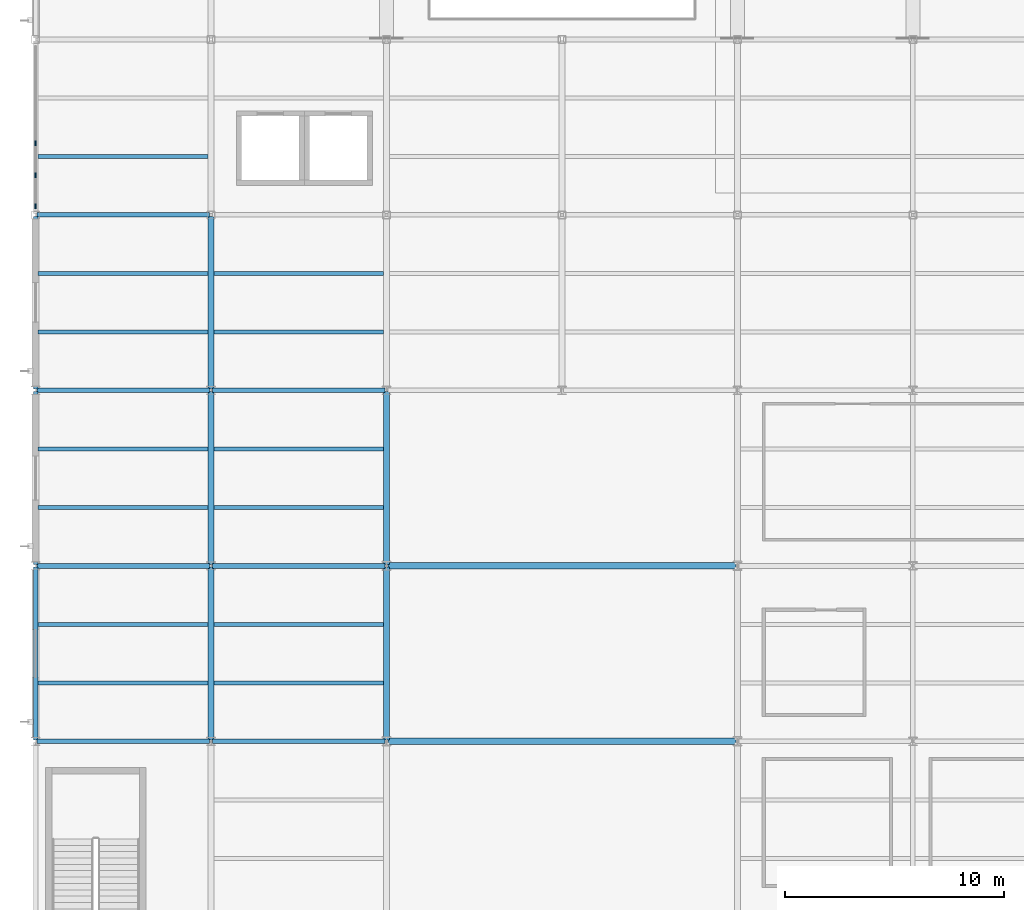
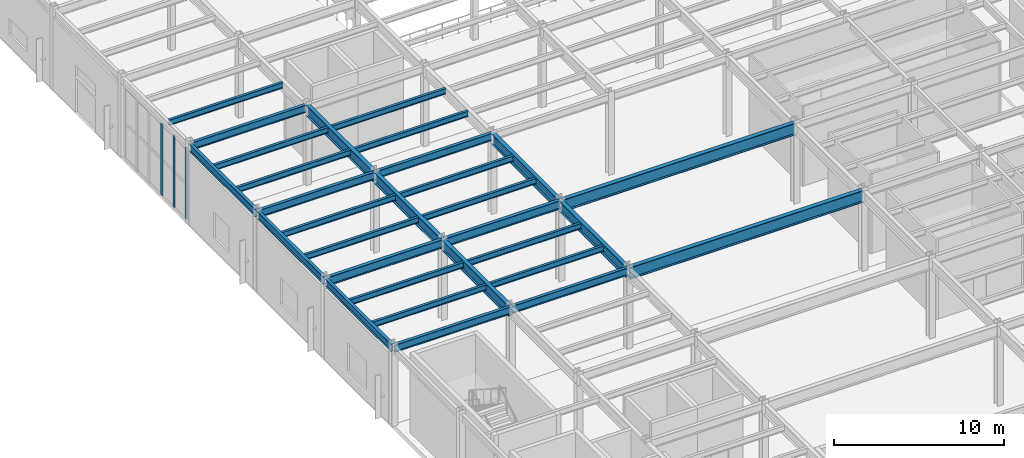
# One storey, part 31 of 82: 30 beams, 3 members, 1 element without a shape of its own.
"""IFC4 building model written with IfcOpenShell, lengths in metres."""

from ifc_helpers import new_model, si_unit, direction, frame, origin, origin_2d, place, context, subcontext, project, spatial, rectangle, i_section, extrude, material, material_profile, profile_set, type_object, element, aggregate, save


model = new_model("IFC4")

# Units and contexts
model_context = context("Model", 3, precision=1e-05, world=origin(), true_north=direction((0.0, 1.0)))
body_context = subcontext(model_context, "Body", "Model", "MODEL_VIEW")
ifc_project = project(units=[si_unit("LENGTHUNIT", "METRE"), si_unit("AREAUNIT", "SQUARE_METRE"), si_unit("VOLUMEUNIT", "CUBIC_METRE"), si_unit("PLANEANGLEUNIT", "RADIAN"), si_unit("MASSUNIT", "GRAM", prefix="KILO")], contexts=[model_context])

# Site, building, storey
site_placement = place(None, origin())
site = spatial("IfcSite", under=ifc_project, at=site_placement, CompositionType="ELEMENT")
building_placement = place(site_placement, origin())
building = spatial("IfcBuilding", under=site, at=building_placement, Name="Drelvath Fold Interchange", CompositionType="ELEMENT")
storey_placement = place(building_placement, origin())
storey = spatial("IfcBuildingStorey", under=building, at=storey_placement, Name="L00", CompositionType="ELEMENT", Elevation=0.0)

# Beams
ifc_material_1 = material(Name="Steel ASTM A992 Grade 50", Category="steel")
ifc_material_profile_1 = material_profile(ifc_material_1, i_section(OverallWidth=0.177978515625, OverallDepth=0.403076171875, WebThickness=0.007568359375, FlangeThickness=0.010986328125, at=origin_2d()), Name="W16X36")
ifc_profile_set_1 = profile_set([ifc_material_profile_1], Name="Steel ASTM A992 Grade 50")
beam_type_1 = type_object("IfcBeamType", Name="BM-W16X36", PredefinedType="JOIST", material=ifc_profile_set_1)
for number, where, z_axis, x_axis, name in (
    (1, (4.10302734375, 37.6669921875, 5.55810546875), (1.0, 0.0, 0.0), (0.0, 1.0, 0.0), "L00 Secondary floor joist BM-W16X36"),
    (2, (4.10302734375, 40.3330078125, 5.55810546875), (1.0, 0.0, 0.0), (0.0, 1.0, 0.0), "L00 Secondary floor joist BM-W16X36"),
    (3, (4.10302734375, 45.6669921875, 5.55810546875), (1.0, 0.0, 0.0), (0.0, 1.0, 0.0), "L00 Secondary floor joist BM-W16X36"),
    (4, (4.10302734375, 48.3330078125, 5.55810546875), (1.0, 0.0, 0.0), (0.0, 1.0, 0.0), "L00 Secondary floor joist BM-W16X36"),
    (5, (4.10302734375, 53.6669921875, 5.55810546875), (1.0, 0.0, 0.0), (0.0, 1.0, 0.0), "L00 Secondary floor joist BM-W16X36"),
    (6, (4.10302734375, 56.3330078125, 5.55810546875), (1.0, 0.0, 0.0), (0.0, 1.0, 0.0), "L00 Secondary floor joist BM-W16X36"),
    (7, (4.10302734375, 61.6669921875, 5.55810546875), (1.0, 0.0, 0.0), (0.0, 1.0, 0.0), "L00 Secondary floor joist BM-W16X36"),
):
    element("IfcBeam", number, at=place(storey_placement, frame(where, z_axis=z_axis, x_axis=x_axis)), inside=storey, type_object=beam_type_1, Name=name, PredefinedType="JOIST", context=body_context, shape_type="SweptSolid", body=[
        extrude(i_section(OverallWidth=0.177978515625, OverallDepth=0.403076171875, WebThickness=0.007568359375, FlangeThickness=0.010986328125, at=origin_2d()), origin(), (0.0, 0.0, 1.0), 7.765869140625),
    ])
for number, where, z_axis, x_axis, name in (
    (8, (12.131103515625, 37.6669921875, 5.55810546875), (1.0, 0.0, 0.0), (0.0, 1.0, 0.0), "L00 Secondary floor joist BM-W16X36"),
    (9, (12.131103515625, 40.3330078125, 5.55810546875), (1.0, 0.0, 0.0), (0.0, 1.0, 0.0), "L00 Secondary floor joist BM-W16X36"),
    (10, (12.131103515625, 45.6669921875, 5.55810546875), (1.0, 0.0, 0.0), (0.0, 1.0, 0.0), "L00 Secondary floor joist BM-W16X36"),
    (11, (12.131103515625, 48.3330078125, 5.55810546875), (1.0, 0.0, 0.0), (0.0, 1.0, 0.0), "L00 Secondary floor joist BM-W16X36"),
    (12, (12.131103515625, 53.6669921875, 5.55810546875), (1.0, 0.0, 0.0), (0.0, 1.0, 0.0), "L00 Secondary floor joist BM-W16X36"),
    (13, (12.131103515625, 56.3330078125, 5.55810546875), (1.0, 0.0, 0.0), (0.0, 1.0, 0.0), "L00 Secondary floor joist BM-W16X36"),
):
    element("IfcBeam", number, at=place(storey_placement, frame(where, z_axis=z_axis, x_axis=x_axis)), inside=storey, type_object=beam_type_1, Name=name, PredefinedType="JOIST", context=body_context, shape_type="SweptSolid", body=[
        extrude(i_section(OverallWidth=0.177978515625, OverallDepth=0.403076171875, WebThickness=0.007568359375, FlangeThickness=0.010986328125, at=origin_2d()), origin(), (0.0, 0.0, 1.0), 7.73779296875),
    ])
ifc_material_profile_2 = material_profile(ifc_material_1, i_section(OverallWidth=0.2099609375, OverallDepth=0.537109375, WebThickness=0.010986328125, FlangeThickness=0.017333984375, at=origin_2d()), Name="W21X68")
ifc_profile_set_2 = profile_set([ifc_material_profile_2], Name="Steel ASTM A992 Grade 50")
beam_type_2 = type_object("IfcBeamType", Name="BM-W21X68", PredefinedType="SPANDREL", material=ifc_profile_set_2)
for number, where, z_axis, x_axis, name in (
    (14, (4.06005859375, 35.0, 5.490966796875), (1.0, 0.0, 0.0), (0.0, 1.0, 0.0), "L00 Primary X girder BM-W21X68"),
    (15, (12.06005859375, 35.0, 5.490966796875), (1.0, 0.0, 0.0), (0.0, 1.0, 0.0), "L00 Primary X girder BM-W21X68"),
    (16, (4.06005859375, 51.0, 5.490966796875), (1.0, 0.0, 0.0), (0.0, 1.0, 0.0), "L00 Primary X girder BM-W21X68"),
    (17, (12.06005859375, 51.0, 5.490966796875), (1.0, 0.0, 0.0), (0.0, 1.0, 0.0), "L00 Primary X girder BM-W21X68"),
    (18, (4.06005859375, 59.0, 5.490966796875), (1.0, 0.0, 0.0), (0.0, 1.0, 0.0), "L00 Primary X girder BM-W21X68"),
    (19, (4.0, 35.06005859375, 5.490966796875), (0.0, 1.0, 0.0), (-1.0, 0.0, 0.0), "L00 Primary Y girder BM-W21X68"),
    (20, (4.0, 43.06005859375, 5.490966796875), (0.0, 1.0, 0.0), (-1.0, 0.0, 0.0), "L00 Primary Y girder BM-W21X68"),
    (21, (4.0, 51.06005859375, 5.490966796875), (0.0, 1.0, 0.0), (-1.0, 0.0, 0.0), "L00 Primary Y girder BM-W21X68"),
):
    element("IfcBeam", number, at=place(storey_placement, frame(where, z_axis=z_axis, x_axis=x_axis)), inside=storey, type_object=beam_type_2, Name=name, PredefinedType="SPANDREL", context=body_context, shape_type="SweptSolid", body=[
        extrude(i_section(OverallWidth=0.2099609375, OverallDepth=0.537109375, WebThickness=0.010986328125, FlangeThickness=0.017333984375, at=origin_2d()), origin(), (0.0, 0.0, 1.0), 7.8798828125),
    ])
ifc_material_profile_3 = material_profile(ifc_material_1, i_section(OverallWidth=0.22998046875, OverallDepth=0.616943359375, WebThickness=0.01318359375, FlangeThickness=0.022216796875, at=origin_2d()), Name="W24X94")
ifc_profile_set_3 = profile_set([ifc_material_profile_3], Name="Steel ASTM A992 Grade 50")
beam_type_3 = type_object("IfcBeamType", Name="BM-W24X94", PredefinedType="BEAM", material=ifc_profile_set_3)
for number, where, z_axis, x_axis, name in (
    (22, (4.06005859375, 43.0, 5.450927734375), (1.0, 0.0, 0.0), (0.0, 1.0, 0.0), "L00 Primary X girder BM-W24X94"),
    (23, (12.06005859375, 43.0, 5.450927734375), (1.0, 0.0, 0.0), (0.0, 1.0, 0.0), "L00 Primary X girder BM-W24X94"),
):
    element("IfcBeam", number, at=place(storey_placement, frame(where, z_axis=z_axis, x_axis=x_axis)), inside=storey, type_object=beam_type_3, Name=name, PredefinedType="BEAM", context=body_context, shape_type="SweptSolid", body=[
        extrude(i_section(OverallWidth=0.22998046875, OverallDepth=0.616943359375, WebThickness=0.01318359375, FlangeThickness=0.022216796875, at=origin_2d()), origin(), (0.0, 0.0, 1.0), 7.8798828125),
    ])
ifc_material_profile_4 = material_profile(ifc_material_1, i_section(OverallWidth=0.26611328125, OverallDepth=0.779052734375, WebThickness=0.0166015625, FlangeThickness=0.030029296875, at=origin_2d()), Name="W30X148")
ifc_profile_set_4 = profile_set([ifc_material_profile_4], Name="Steel ASTM A992 Grade 50")
beam_type_4 = type_object("IfcBeamType", Name="BM-W30X148", PredefinedType="BEAM", material=ifc_profile_set_4)
for number, where, z_axis, x_axis, name in (
    (24, (12.0, 35.06005859375, 5.3701171875), (0.0, 1.0, 0.0), (-1.0, 0.0, 0.0), "L00 Primary Y girder BM-W30X148"),
    (25, (12.0, 43.06005859375, 5.3701171875), (0.0, 1.0, 0.0), (-1.0, 0.0, 0.0), "L00 Primary Y girder BM-W30X148"),
    (26, (12.0, 51.06005859375, 5.3701171875), (0.0, 1.0, 0.0), (-1.0, 0.0, 0.0), "L00 Primary Y girder BM-W30X148"),
    (27, (20.0, 35.06005859375, 5.3701171875), (0.0, 1.0, 0.0), (-1.0, 0.0, 0.0), "L00 Primary Y girder BM-W30X148"),
    (28, (20.0, 43.06005859375, 5.3701171875), (0.0, 1.0, 0.0), (-1.0, 0.0, 0.0), "L00 Primary Y girder BM-W30X148"),
):
    element("IfcBeam", number, at=place(storey_placement, frame(where, z_axis=z_axis, x_axis=x_axis)), inside=storey, type_object=beam_type_4, Name=name, PredefinedType="BEAM", context=body_context, shape_type="SweptSolid", body=[
        extrude(i_section(OverallWidth=0.26611328125, OverallDepth=0.779052734375, WebThickness=0.0166015625, FlangeThickness=0.030029296875, at=origin_2d()), origin(), (0.0, 0.0, 1.0), 7.8798828125),
    ])
ifc_material_profile_5 = material_profile(ifc_material_1, i_section(OverallWidth=0.2919921875, OverallDepth=0.85888671875, WebThickness=0.01708984375, FlangeThickness=0.031005859375, at=origin_2d()), Name="W33X169")
ifc_profile_set_5 = profile_set([ifc_material_profile_5], Name="Steel ASTM A992 Grade 50")
beam_type_5 = type_object("IfcBeamType", Name="BM-W33X169", PredefinedType="USERDEFINED", material=ifc_profile_set_5)
for number, where, z_axis, x_axis, name in (
    (29, (20.06005859375, 35.0, 5.330078125), (1.0, 0.0, 0.0), (0.0, 1.0, 0.0), "L00 Primary X girder BM-W33X169"),
    (30, (20.06005859375, 43.0, 5.330078125), (1.0, 0.0, 0.0), (0.0, 1.0, 0.0), "L00 Primary X girder BM-W33X169"),
):
    element("IfcBeam", number, at=place(storey_placement, frame(where, z_axis=z_axis, x_axis=x_axis)), inside=storey, type_object=beam_type_5, Name=name, ObjectType="GIRDER", PredefinedType="USERDEFINED", context=body_context, shape_type="SweptSolid", body=[
        extrude(i_section(OverallWidth=0.2919921875, OverallDepth=0.85888671875, WebThickness=0.01708984375, FlangeThickness=0.031005859375, at=origin_2d()), origin(), (0.0, 0.0, 1.0), 15.8798828125),
    ])

# Curtain wall, members
ifc_material_2 = material(Name="Anodized Aluminium 6063-T6", Category="aluminium")
curtain_wall_type = type_object("IfcCurtainWallType", Name="CW-CON-600", PredefinedType="USERDEFINED", material=ifc_material_2)
curtain_wall_placement = place(storey_placement, origin())
curtain_wall = element("IfcCurtainWall", 31, at=curtain_wall_placement, inside=storey, type_object=curtain_wall_type, Name="Curtain wall CW-V1-L00-W59", ObjectType="UNITISED CURTAIN WALL", PredefinedType="USERDEFINED")
ifc_material_profile_6 = material_profile(ifc_material_2, rectangle(XDim=0.06494140625, YDim=0.219970703125, at=origin_2d()), Name="AL-M 65x220")
ifc_profile_set_6 = profile_set([ifc_material_profile_6], Name="Anodized Aluminium 6063-T6")
member_type = type_object("IfcMemberType", Name="ML-220", PredefinedType="MULLION", material=ifc_profile_set_6)
member_1_placement = place(storey_placement, frame((4.0, 59.39990234375, 0.0), z_axis=(0.0, 0.0, 1.0), x_axis=(1.0, 0.0, 0.0)))
member_1 = element("IfcMember", 32, at=member_1_placement, type_object=member_type, Name="CW-V1-L00-W59 mullion 0", PredefinedType="MULLION", context=body_context, shape_type="SweptSolid", body=[
    extrude(rectangle(XDim=0.06494140625, YDim=0.219970703125, at=origin_2d()), origin(), (0.0, 0.0, 1.0), 5.14990234375),
])
member_2_placement = place(storey_placement, frame((4.0, 60.81591796875, 0.0), z_axis=(0.0, 0.0, 1.0), x_axis=(1.0, 0.0, 0.0)))
member_2 = element("IfcMember", 33, at=member_2_placement, type_object=member_type, Name="CW-V1-L00-W59 mullion 1", PredefinedType="MULLION", context=body_context, shape_type="SweptSolid", body=[
    extrude(rectangle(XDim=0.06494140625, YDim=0.219970703125, at=origin_2d()), origin(), (0.0, 0.0, 1.0), 5.14990234375),
])
member_3_placement = place(storey_placement, frame((4.0, 62.27197265625, 0.0), z_axis=(0.0, 0.0, 1.0), x_axis=(1.0, 0.0, 0.0)))
member_3 = element("IfcMember", 34, at=member_3_placement, type_object=member_type, Name="CW-V1-L00-W59 mullion 2", PredefinedType="MULLION", context=body_context, shape_type="SweptSolid", body=[
    extrude(rectangle(XDim=0.06494140625, YDim=0.219970703125, at=origin_2d()), origin(), (0.0, 0.0, 1.0), 5.14990234375),
])
aggregate(curtain_wall, [member_1, member_2, member_3])

save(model, "model.ifc")
